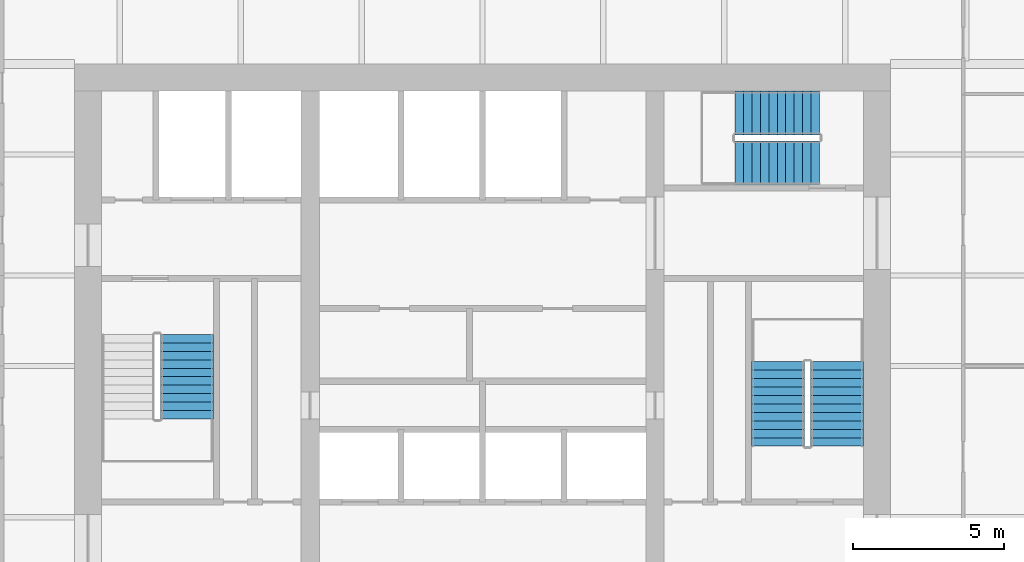
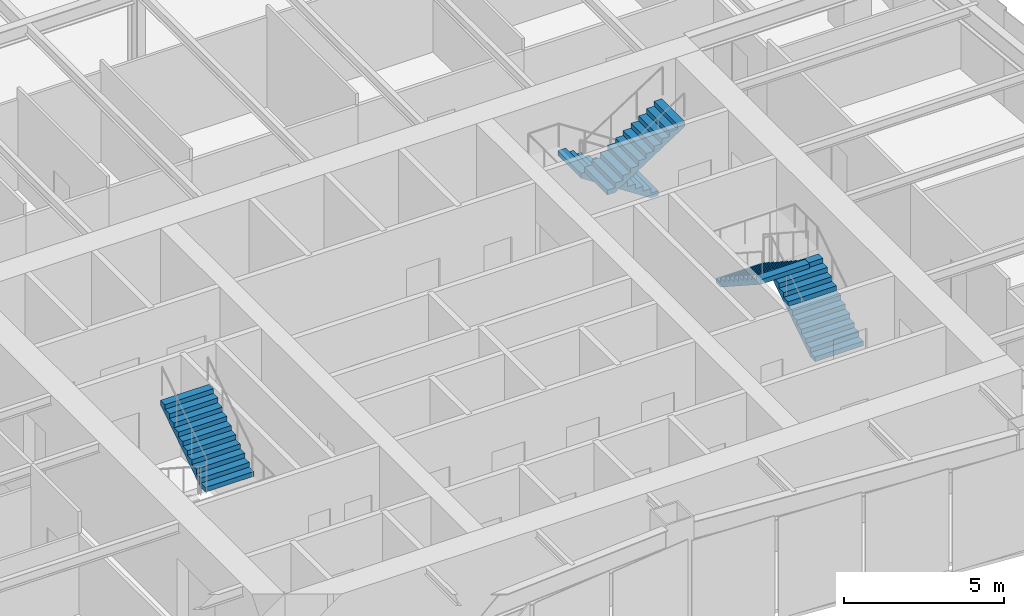
# One storey, part 8 of 10: 5 stair flights, 3 elements without a shape of their own.
"""IFC4 building model written with IfcOpenShell, lengths in metres."""

from ifc_helpers import new_model, si_unit, direction, frame, origin, place, context, subcontext, project, spatial, polyline, outline, extrude, material, type_object, element, aggregate, save


model = new_model("IFC4")

# Units and contexts
model_context = context("Model", 3, precision=1e-05, world=origin(), true_north=direction((0.0, 1.0)))
body_context = subcontext(model_context, "Body", "Model", "MODEL_VIEW")
ifc_project = project(units=[si_unit("LENGTHUNIT", "METRE"), si_unit("AREAUNIT", "SQUARE_METRE"), si_unit("VOLUMEUNIT", "CUBIC_METRE"), si_unit("PLANEANGLEUNIT", "RADIAN"), si_unit("MASSUNIT", "GRAM", prefix="KILO")], contexts=[model_context])

# Site, building, storey
site_placement = place(None, origin())
site = spatial("IfcSite", under=ifc_project, at=site_placement, CompositionType="ELEMENT")
building_placement = place(site_placement, origin())
building = spatial("IfcBuilding", under=site, at=building_placement, Name="Verdant Reach Tower", CompositionType="ELEMENT")
storey_placement = place(building_placement, frame((0.0, 0.0, 202.0)))
storey = spatial("IfcBuildingStorey", under=building, at=storey_placement, Name="L46", CompositionType="ELEMENT", Elevation=202.0)

# Stair, stair flight
ifc_material = material(Name="Concrete C40/50", Category="concrete")
stair_type = type_object("IfcStairType", Name="CO-STAIR", PredefinedType="HALF_TURN_STAIR", material=ifc_material)
stair_1_placement = place(storey_placement, origin())
stair_1 = element("IfcStair", 1, at=stair_1_placement, inside=storey, type_object=stair_type, Name="L46 Exit stair 1", PredefinedType="HALF_TURN_STAIR")
stair_flight_type = type_object("IfcStairFlightType", Name="CO-STAIR-FLIGHT", PredefinedType="STRAIGHT", material=ifc_material)
stair_flight_1_placement = place(storey_placement, frame((-9.77490234375, 26.75, 2.0), z_axis=(0.0, 0.0, 1.0), x_axis=(0.0, 1.0, 0.0)))
stair_flight_1 = element("IfcStairFlight", 2, at=stair_flight_1_placement, type_object=stair_flight_type, Name="ST-1 flight 2", NumberOfRisers=11, NumberOfTreads=10, PredefinedType="STRAIGHT", RiserHeight=0.181818182, TreadLength=0.28, context=body_context, shape_type="SweptSolid", body=[
    extrude(outline(polyline([(0.0, 0.0), (0.0, 0.181884765625), (0.280029296875, 0.181884765625), (0.280029296875, 0.363525390625), (0.56005859375, 0.363525390625), (0.56005859375, 0.54541015625), (0.840087890625, 0.54541015625), (0.840087890625, 0.727294921875), (1.1201171875, 0.727294921875), (1.1201171875, 0.9091796875), (1.39990234375, 0.9091796875), (1.39990234375, 1.0908203125), (1.679931640625, 1.0908203125), (1.679931640625, 1.272705078125), (1.9599609375, 1.272705078125), (1.9599609375, 1.45458984375), (2.239990234375, 1.45458984375), (2.239990234375, 1.636474609375), (2.52001953125, 1.636474609375), (2.52001953125, 1.818115234375), (2.800048828125, 1.818115234375), (2.800048828125, 2.0), (2.800048828125, 1.639404296875), (0.275146484375, 0.0), (0.0, 0.0)])), frame((0.0, 0.875, 0.0), z_axis=(0.0, -1.0, 0.0), x_axis=(1.0, 0.0, 0.0)), (0.0, 0.0, 1.0), 1.75),
])
aggregate(stair_1, [stair_flight_1])

# Stair, stair flights
stair_2_placement = place(storey_placement, origin())
stair_2 = element("IfcStair", 3, at=stair_2_placement, inside=storey, type_object=stair_type, Name="L46 Exit stair 2", PredefinedType="HALF_TURN_STAIR")
stair_flight_2_placement = place(storey_placement, frame((11.72509765625, 25.85009765625, 0.0), z_axis=(0.0, 0.0, 1.0), x_axis=(0.0, 1.0, 0.0)))
stair_flight_2 = element("IfcStairFlight", 4, at=stair_flight_2_placement, type_object=stair_flight_type, Name="ST-2 flight 1", NumberOfRisers=11, NumberOfTreads=10, PredefinedType="STRAIGHT", RiserHeight=0.181818182, TreadLength=0.28, context=body_context, shape_type="SweptSolid", body=[
    extrude(outline(polyline([(0.0, 0.0), (0.0, 0.181884765625), (0.280029296875, 0.181884765625), (0.280029296875, 0.363525390625), (0.56005859375, 0.363525390625), (0.56005859375, 0.54541015625), (0.840087890625, 0.54541015625), (0.840087890625, 0.727294921875), (1.1201171875, 0.727294921875), (1.1201171875, 0.9091796875), (1.39990234375, 0.9091796875), (1.39990234375, 1.0908203125), (1.679931640625, 1.0908203125), (1.679931640625, 1.272705078125), (1.9599609375, 1.272705078125), (1.9599609375, 1.45458984375), (2.239990234375, 1.45458984375), (2.239990234375, 1.636474609375), (2.52001953125, 1.636474609375), (2.52001953125, 1.818115234375), (2.800048828125, 1.818115234375), (2.800048828125, 2.0), (2.800048828125, 1.639404296875), (0.275146484375, 0.0), (0.0, 0.0)])), frame((0.0, 0.875, 0.0), z_axis=(0.0, -1.0, 0.0), x_axis=(1.0, 0.0, 0.0)), (0.0, 0.0, 1.0), 1.75),
])
stair_flight_3_placement = place(storey_placement, frame((9.77490234375, 28.64990234375, 2.0), z_axis=(0.0, 0.0, 1.0), x_axis=(0.0, -1.0, 0.0)))
stair_flight_3 = element("IfcStairFlight", 5, at=stair_flight_3_placement, type_object=stair_flight_type, Name="ST-2 flight 2", NumberOfRisers=11, NumberOfTreads=10, PredefinedType="STRAIGHT", RiserHeight=0.181818182, TreadLength=0.28, context=body_context, shape_type="SweptSolid", body=[
    extrude(outline(polyline([(0.0, 0.0), (0.0, 0.181884765625), (0.280029296875, 0.181884765625), (0.280029296875, 0.363525390625), (0.56005859375, 0.363525390625), (0.56005859375, 0.54541015625), (0.840087890625, 0.54541015625), (0.840087890625, 0.727294921875), (1.1201171875, 0.727294921875), (1.1201171875, 0.9091796875), (1.39990234375, 0.9091796875), (1.39990234375, 1.0908203125), (1.679931640625, 1.0908203125), (1.679931640625, 1.272705078125), (1.9599609375, 1.272705078125), (1.9599609375, 1.45458984375), (2.239990234375, 1.45458984375), (2.239990234375, 1.636474609375), (2.52001953125, 1.636474609375), (2.52001953125, 1.818115234375), (2.800048828125, 1.818115234375), (2.800048828125, 2.0), (2.800048828125, 1.639404296875), (0.275146484375, 0.0), (0.0, 0.0)])), frame((0.0, 0.875, 0.0), z_axis=(0.0, -1.0, 0.0), x_axis=(1.0, 0.0, 0.0)), (0.0, 0.0, 1.0), 1.75),
])
aggregate(stair_2, [stair_flight_2, stair_flight_3])

stair_3_placement = place(storey_placement, origin())
stair_3 = element("IfcStair", 6, at=stair_3_placement, inside=storey, type_object=stair_type, Name="L46 Exit stair 3", PredefinedType="HALF_TURN_STAIR")
stair_flight_4_placement = place(storey_placement, frame((11.14990234375, 36.875, 0.0), z_axis=(0.0, 0.0, 1.0), x_axis=(-1.0, 0.0, 0.0)))
stair_flight_4 = element("IfcStairFlight", 7, at=stair_flight_4_placement, type_object=stair_flight_type, Name="ST-3 flight 1", NumberOfRisers=11, NumberOfTreads=10, PredefinedType="STRAIGHT", RiserHeight=0.181818182, TreadLength=0.28, context=body_context, shape_type="SweptSolid", body=[
    extrude(outline(polyline([(0.0, 0.0), (0.0, 0.181884765625), (0.280029296875, 0.181884765625), (0.280029296875, 0.363525390625), (0.56005859375, 0.363525390625), (0.56005859375, 0.54541015625), (0.840087890625, 0.54541015625), (0.840087890625, 0.727294921875), (1.1201171875, 0.727294921875), (1.1201171875, 0.9091796875), (1.39990234375, 0.9091796875), (1.39990234375, 1.0908203125), (1.679931640625, 1.0908203125), (1.679931640625, 1.272705078125), (1.9599609375, 1.272705078125), (1.9599609375, 1.45458984375), (2.239990234375, 1.45458984375), (2.239990234375, 1.636474609375), (2.52001953125, 1.636474609375), (2.52001953125, 1.818115234375), (2.800048828125, 1.818115234375), (2.800048828125, 2.0), (2.800048828125, 1.639404296875), (0.275146484375, 0.0), (0.0, 0.0)])), frame((0.0, 0.72509765625, 0.0), z_axis=(0.0, -1.0, 0.0), x_axis=(1.0, 0.0, 0.0)), (0.0, 0.0, 1.0), 1.449951171875),
])
stair_flight_5_placement = place(storey_placement, frame((8.35009765625, 35.22509765625, 2.0), z_axis=(0.0, 0.0, 1.0), x_axis=(1.0, 0.0, 0.0)))
stair_flight_5 = element("IfcStairFlight", 8, at=stair_flight_5_placement, type_object=stair_flight_type, Name="ST-3 flight 2", NumberOfRisers=11, NumberOfTreads=10, PredefinedType="STRAIGHT", RiserHeight=0.181818182, TreadLength=0.28, context=body_context, shape_type="SweptSolid", body=[
    extrude(outline(polyline([(0.0, 0.0), (0.0, 0.181884765625), (0.280029296875, 0.181884765625), (0.280029296875, 0.363525390625), (0.56005859375, 0.363525390625), (0.56005859375, 0.54541015625), (0.840087890625, 0.54541015625), (0.840087890625, 0.727294921875), (1.1201171875, 0.727294921875), (1.1201171875, 0.9091796875), (1.39990234375, 0.9091796875), (1.39990234375, 1.0908203125), (1.679931640625, 1.0908203125), (1.679931640625, 1.272705078125), (1.9599609375, 1.272705078125), (1.9599609375, 1.45458984375), (2.239990234375, 1.45458984375), (2.239990234375, 1.636474609375), (2.52001953125, 1.636474609375), (2.52001953125, 1.818115234375), (2.800048828125, 1.818115234375), (2.800048828125, 2.0), (2.800048828125, 1.639404296875), (0.275146484375, 0.0), (0.0, 0.0)])), frame((0.0, 0.72509765625, 0.0), z_axis=(0.0, -1.0, 0.0), x_axis=(1.0, 0.0, 0.0)), (0.0, 0.0, 1.0), 1.449951171875),
])
aggregate(stair_3, [stair_flight_4, stair_flight_5])

save(model, "model.ifc")
